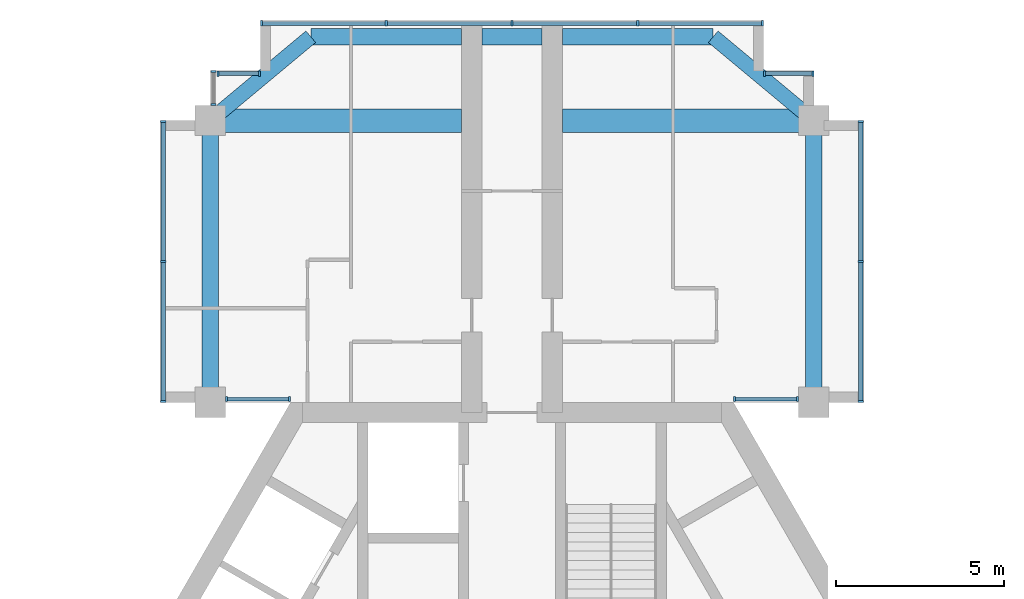
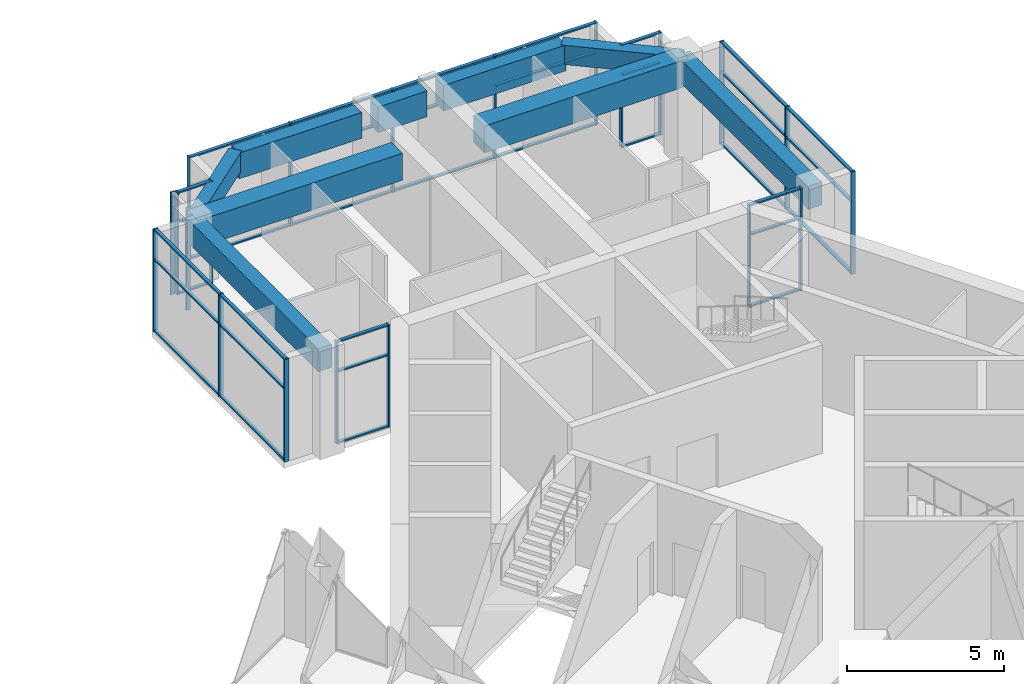
# One storey, part 6 of 14: 57 members, 9 beams, 8 elements without a shape of their own.
"""IFC4 building model written with IfcOpenShell, lengths in metres."""

from ifc_helpers import new_model, si_unit, direction, frame, origin, origin_2d, place, context, subcontext, project, spatial, rectangle, extrude, material, material_profile, profile_set, type_object, element, aggregate, save


model = new_model("IFC4")

# Units and contexts
model_context = context("Model", 3, precision=1e-05, world=origin(), true_north=direction((0.0, 1.0)))
body_context = subcontext(model_context, "Body", "Model", "MODEL_VIEW")
ifc_project = project(units=[si_unit("LENGTHUNIT", "METRE"), si_unit("AREAUNIT", "SQUARE_METRE"), si_unit("VOLUMEUNIT", "CUBIC_METRE"), si_unit("PLANEANGLEUNIT", "RADIAN"), si_unit("MASSUNIT", "GRAM", prefix="KILO")], contexts=[model_context])

# Site, building, storey
site_placement = place(None, origin())
site = spatial("IfcSite", under=ifc_project, at=site_placement, CompositionType="ELEMENT")
building_placement = place(site_placement, origin())
building = spatial("IfcBuilding", under=site, at=building_placement, Name="Impinga Residences", CompositionType="ELEMENT")
storey_placement = place(building_placement, frame((0.0, 0.0, 278.949951171875)))
storey = spatial("IfcBuildingStorey", under=building, at=storey_placement, Name="L70", CompositionType="ELEMENT", Elevation=278.949951171875)

# Beams
ifc_material_1 = material(Name="Concrete C60/75", Category="concrete")
ifc_material_profile_1 = material_profile(ifc_material_1, rectangle(XDim=0.449951171875, YDim=0.75, at=origin_2d()), Name="RC 450x750")
ifc_profile_set_1 = profile_set([ifc_material_profile_1], Name="Concrete C60/75")
beam_type_1 = type_object("IfcBeamType", Name="CB1 450x750 wing end cantilever beam", PredefinedType="BEAM", material=ifc_profile_set_1)
for number, where, z_axis, x_axis, name in (
    (1, (-9.0, 19.83154296875, 3.60498046875), (0.768221279597, 0.640184399664, 0.0), (-0.640184399664, 0.768221279597, 0.0), "Beam CB1 NB N2-NX level L71"),
    (2, (9.0, 19.83154296875, 3.60498046875), (-0.768221279597, 0.640184399664, 0.0), (-0.640184399664, -0.768221279597, 0.0), "Beam CB1 NE N2-NX level L71"),
):
    element("IfcBeam", number, at=place(storey_placement, frame(where, z_axis=z_axis, x_axis=x_axis)), inside=storey, type_object=beam_type_1, Name=name, PredefinedType="BEAM", context=body_context, shape_type="SweptSolid", body=[
        extrude(rectangle(XDim=0.449951171875, YDim=0.75, at=origin_2d()), origin(), (0.0, 0.0, 1.0), 3.905029296875),
    ])
ifc_material_profile_2 = material_profile(ifc_material_1, rectangle(XDim=0.699951171875, YDim=1.050048828125, at=origin_2d()), Name="RC 700x1050")
ifc_profile_set_2 = profile_set([ifc_material_profile_2], Name="Concrete C60/75")
beam_type_2 = type_object("IfcBeamType", Name="CG1 700x1050 cross girder on a wing bay line", PredefinedType="BEAM", material=ifc_profile_set_2)
for number, where, z_axis, x_axis, name in (
    (3, (-1.5, 19.83154296875, 3.455078125), (-1.0, 0.0, 0.0), (0.0, -1.0, 0.0), "Beam CG1 N2 NC/NA level L71"),
    (4, (1.5, 19.83154296875, 3.455078125), (1.0, 0.0, 0.0), (0.0, 1.0, 0.0), "Beam CG1 N2 NC/NF level L71"),
):
    element("IfcBeam", number, at=place(storey_placement, frame(where, z_axis=z_axis, x_axis=x_axis)), inside=storey, type_object=beam_type_2, Name=name, PredefinedType="BEAM", context=body_context, shape_type="SweptSolid", body=[
        extrude(rectangle(XDim=0.699951171875, YDim=1.050048828125, at=origin_2d()), origin(), (0.0, 0.0, 1.0), 7.5),
    ])

# Curtain wall, members
ifc_material_2 = material(Name="Aluminium stick curtain wall", Category="aluminium")
curtain_wall_type = type_object("IfcCurtainWallType", Name="CW3 penthouse curtain wall", PredefinedType="USERDEFINED", material=ifc_material_2)
curtain_wall_1_placement = place(storey_placement, origin())
curtain_wall_1 = element("IfcCurtainWall", 5, at=curtain_wall_1_placement, inside=storey, type_object=curtain_wall_type, Name="Curtain wall CW3 L70", ObjectType="STICK CURTAIN WALL", PredefinedType="USERDEFINED")
ifc_material_3 = material(Name="Aluminium mullion", Category="aluminium")
ifc_material_profile_3 = material_profile(ifc_material_3, rectangle(XDim=0.06005859375, YDim=0.159912109375, at=origin_2d()), Name="60x160 mullion")
ifc_profile_set_3 = profile_set([ifc_material_profile_3], Name="Aluminium mullion")
member_type_1 = type_object("IfcMemberType", Name="CW3-M mullion 60x160", PredefinedType="MULLION", material=ifc_profile_set_3)
member_1_placement = place(storey_placement, frame((-6.6298828125, 11.531494140625, 0.0), z_axis=(0.0, 0.0, 1.0), x_axis=(-1.0, 0.0, 0.0)))
member_1 = element("IfcMember", 6, at=member_1_placement, type_object=member_type_1, Name="CW3 mullion 1", PredefinedType="MULLION", context=body_context, shape_type="SweptSolid", body=[
    extrude(rectangle(XDim=0.06005859375, YDim=0.159912109375, at=origin_2d()), origin(), (0.0, 0.0, 1.0), 3.97998046875),
])
member_2_placement = place(storey_placement, frame((-8.51708984375, 11.531494140625, 0.0), z_axis=(0.0, 0.0, 1.0), x_axis=(-1.0, 0.0, 0.0)))
member_2 = element("IfcMember", 7, at=member_2_placement, type_object=member_type_1, Name="CW3 mullion 2", PredefinedType="MULLION", context=body_context, shape_type="SweptSolid", body=[
    extrude(rectangle(XDim=0.06005859375, YDim=0.159912109375, at=origin_2d()), origin(), (0.0, 0.0, 1.0), 3.97998046875),
])

curtain_wall_2_placement = place(storey_placement, origin())
curtain_wall_2 = element("IfcCurtainWall", 8, at=curtain_wall_2_placement, inside=storey, type_object=curtain_wall_type, Name="Curtain wall CW3 L70", ObjectType="STICK CURTAIN WALL", PredefinedType="USERDEFINED")
member_3_placement = place(storey_placement, frame((-10.39990234375, 11.46142578125, 0.0), z_axis=(0.0, 0.0, 1.0), x_axis=(0.0, 1.0, 0.0)))
member_3 = element("IfcMember", 9, at=member_3_placement, type_object=member_type_1, Name="CW3 mullion 1", PredefinedType="MULLION", context=body_context, shape_type="SweptSolid", body=[
    extrude(rectangle(XDim=0.06005859375, YDim=0.159912109375, at=origin_2d()), origin(), (0.0, 0.0, 1.0), 3.97998046875),
])
member_4_placement = place(storey_placement, frame((-10.39990234375, 15.631591796875, 0.0), z_axis=(0.0, 0.0, 1.0), x_axis=(0.0, 1.0, 0.0)))
member_4 = element("IfcMember", 10, at=member_4_placement, type_object=member_type_1, Name="CW3 mullion 2", PredefinedType="MULLION", context=body_context, shape_type="SweptSolid", body=[
    extrude(rectangle(XDim=0.06005859375, YDim=0.159912109375, at=origin_2d()), origin(), (0.0, 0.0, 1.0), 3.97998046875),
])
member_5_placement = place(storey_placement, frame((-10.39990234375, 19.801513671875, 0.0), z_axis=(0.0, 0.0, 1.0), x_axis=(0.0, 1.0, 0.0)))
member_5 = element("IfcMember", 11, at=member_5_placement, type_object=member_type_1, Name="CW3 mullion 3", PredefinedType="MULLION", context=body_context, shape_type="SweptSolid", body=[
    extrude(rectangle(XDim=0.06005859375, YDim=0.159912109375, at=origin_2d()), origin(), (0.0, 0.0, 1.0), 3.97998046875),
])

curtain_wall_3_placement = place(storey_placement, origin())
curtain_wall_3 = element("IfcCurtainWall", 12, at=curtain_wall_3_placement, inside=storey, type_object=curtain_wall_type, Name="Curtain wall CW3 L70", ObjectType="STICK CURTAIN WALL", PredefinedType="USERDEFINED")
member_6_placement = place(storey_placement, frame((-8.89990234375, 20.314453125, 0.0), z_axis=(0.0, 0.0, 1.0), x_axis=(0.0, 1.0, 0.0)))
member_6 = element("IfcMember", 13, at=member_6_placement, type_object=member_type_1, Name="CW3 mullion 1", PredefinedType="MULLION", context=body_context, shape_type="SweptSolid", body=[
    extrude(rectangle(XDim=0.06005859375, YDim=0.159912109375, at=origin_2d()), origin(), (0.0, 0.0, 1.0), 3.97998046875),
])
member_7_placement = place(storey_placement, frame((-8.89990234375, 21.301513671875, 0.0), z_axis=(0.0, 0.0, 1.0), x_axis=(0.0, 1.0, 0.0)))
member_7 = element("IfcMember", 14, at=member_7_placement, type_object=member_type_1, Name="CW3 mullion 2", PredefinedType="MULLION", context=body_context, shape_type="SweptSolid", body=[
    extrude(rectangle(XDim=0.06005859375, YDim=0.159912109375, at=origin_2d()), origin(), (0.0, 0.0, 1.0), 3.97998046875),
])
aggregate(curtain_wall_3, [member_6, member_7])

curtain_wall_4_placement = place(storey_placement, origin())
curtain_wall_4 = element("IfcCurtainWall", 15, at=curtain_wall_4_placement, inside=storey, type_object=curtain_wall_type, Name="Curtain wall CW3 L70", ObjectType="STICK CURTAIN WALL", PredefinedType="USERDEFINED")
member_8_placement = place(storey_placement, frame((-8.77001953125, 21.2314453125, 0.0), z_axis=(0.0, 0.0, 1.0), x_axis=(1.0, 0.0, 0.0)))
member_8 = element("IfcMember", 16, at=member_8_placement, type_object=member_type_1, Name="CW3 mullion 1", PredefinedType="MULLION", context=body_context, shape_type="SweptSolid", body=[
    extrude(rectangle(XDim=0.06005859375, YDim=0.159912109375, at=origin_2d()), origin(), (0.0, 0.0, 1.0), 3.97998046875),
])
member_9_placement = place(storey_placement, frame((-7.530029296875, 21.2314453125, 0.0), z_axis=(0.0, 0.0, 1.0), x_axis=(1.0, 0.0, 0.0)))
member_9 = element("IfcMember", 17, at=member_9_placement, type_object=member_type_1, Name="CW3 mullion 2", PredefinedType="MULLION", context=body_context, shape_type="SweptSolid", body=[
    extrude(rectangle(XDim=0.06005859375, YDim=0.159912109375, at=origin_2d()), origin(), (0.0, 0.0, 1.0), 3.97998046875),
])

curtain_wall_5_placement = place(storey_placement, origin())
curtain_wall_5 = element("IfcCurtainWall", 18, at=curtain_wall_5_placement, inside=storey, type_object=curtain_wall_type, Name="Curtain wall CW3 L70", ObjectType="STICK CURTAIN WALL", PredefinedType="USERDEFINED")
member_10_placement = place(storey_placement, frame((-7.469970703125, 22.7314453125, 0.0), z_axis=(0.0, 0.0, 1.0), x_axis=(1.0, 0.0, 0.0)))
member_10 = element("IfcMember", 19, at=member_10_placement, type_object=member_type_1, Name="CW3 mullion 1", PredefinedType="MULLION", context=body_context, shape_type="SweptSolid", body=[
    extrude(rectangle(XDim=0.06005859375, YDim=0.159912109375, at=origin_2d()), origin(), (0.0, 0.0, 1.0), 3.97998046875),
])
member_11_placement = place(storey_placement, frame((-3.75, 22.7314453125, 0.0), z_axis=(0.0, 0.0, 1.0), x_axis=(1.0, 0.0, 0.0)))
member_11 = element("IfcMember", 20, at=member_11_placement, type_object=member_type_1, Name="CW3 mullion 2", PredefinedType="MULLION", context=body_context, shape_type="SweptSolid", body=[
    extrude(rectangle(XDim=0.06005859375, YDim=0.159912109375, at=origin_2d()), origin(), (0.0, 0.0, 1.0), 3.97998046875),
])
member_12_placement = place(storey_placement, frame((0.0, 22.7314453125, 0.0), z_axis=(0.0, 0.0, 1.0), x_axis=(1.0, 0.0, 0.0)))
member_12 = element("IfcMember", 21, at=member_12_placement, type_object=member_type_1, Name="CW3 mullion 3", PredefinedType="MULLION", context=body_context, shape_type="SweptSolid", body=[
    extrude(rectangle(XDim=0.06005859375, YDim=0.159912109375, at=origin_2d()), origin(), (0.0, 0.0, 1.0), 3.97998046875),
])
member_13_placement = place(storey_placement, frame((3.75, 22.7314453125, 0.0), z_axis=(0.0, 0.0, 1.0), x_axis=(1.0, 0.0, 0.0)))
member_13 = element("IfcMember", 22, at=member_13_placement, type_object=member_type_1, Name="CW3 mullion 4", PredefinedType="MULLION", context=body_context, shape_type="SweptSolid", body=[
    extrude(rectangle(XDim=0.06005859375, YDim=0.159912109375, at=origin_2d()), origin(), (0.0, 0.0, 1.0), 3.97998046875),
])
member_14_placement = place(storey_placement, frame((7.469970703125, 22.7314453125, 0.0), z_axis=(0.0, 0.0, 1.0), x_axis=(1.0, 0.0, 0.0)))
member_14 = element("IfcMember", 23, at=member_14_placement, type_object=member_type_1, Name="CW3 mullion 5", PredefinedType="MULLION", context=body_context, shape_type="SweptSolid", body=[
    extrude(rectangle(XDim=0.06005859375, YDim=0.159912109375, at=origin_2d()), origin(), (0.0, 0.0, 1.0), 3.97998046875),
])

curtain_wall_6_placement = place(storey_placement, origin())
curtain_wall_6 = element("IfcCurtainWall", 24, at=curtain_wall_6_placement, inside=storey, type_object=curtain_wall_type, Name="Curtain wall CW3 L70", ObjectType="STICK CURTAIN WALL", PredefinedType="USERDEFINED")
member_15_placement = place(storey_placement, frame((7.530029296875, 21.2314453125, 0.0), z_axis=(0.0, 0.0, 1.0), x_axis=(1.0, 0.0, 0.0)))
member_15 = element("IfcMember", 25, at=member_15_placement, type_object=member_type_1, Name="CW3 mullion 1", PredefinedType="MULLION", context=body_context, shape_type="SweptSolid", body=[
    extrude(rectangle(XDim=0.06005859375, YDim=0.159912109375, at=origin_2d()), origin(), (0.0, 0.0, 1.0), 3.97998046875),
])
member_16_placement = place(storey_placement, frame((8.969970703125, 21.2314453125, 0.0), z_axis=(0.0, 0.0, 1.0), x_axis=(1.0, 0.0, 0.0)))
member_16 = element("IfcMember", 26, at=member_16_placement, type_object=member_type_1, Name="CW3 mullion 2", PredefinedType="MULLION", context=body_context, shape_type="SweptSolid", body=[
    extrude(rectangle(XDim=0.06005859375, YDim=0.159912109375, at=origin_2d()), origin(), (0.0, 0.0, 1.0), 3.97998046875),
])

curtain_wall_7_placement = place(storey_placement, origin())
curtain_wall_7 = element("IfcCurtainWall", 27, at=curtain_wall_7_placement, inside=storey, type_object=curtain_wall_type, Name="Curtain wall CW3 L70", ObjectType="STICK CURTAIN WALL", PredefinedType="USERDEFINED")
member_17_placement = place(storey_placement, frame((10.39990234375, 19.801513671875, 0.0), z_axis=(0.0, 0.0, 1.0), x_axis=(0.0, -1.0, 0.0)))
member_17 = element("IfcMember", 28, at=member_17_placement, type_object=member_type_1, Name="CW3 mullion 1", PredefinedType="MULLION", context=body_context, shape_type="SweptSolid", body=[
    extrude(rectangle(XDim=0.06005859375, YDim=0.159912109375, at=origin_2d()), origin(), (0.0, 0.0, 1.0), 3.97998046875),
])
member_18_placement = place(storey_placement, frame((10.39990234375, 15.631591796875, 0.0), z_axis=(0.0, 0.0, 1.0), x_axis=(0.0, -1.0, 0.0)))
member_18 = element("IfcMember", 29, at=member_18_placement, type_object=member_type_1, Name="CW3 mullion 2", PredefinedType="MULLION", context=body_context, shape_type="SweptSolid", body=[
    extrude(rectangle(XDim=0.06005859375, YDim=0.159912109375, at=origin_2d()), origin(), (0.0, 0.0, 1.0), 3.97998046875),
])
member_19_placement = place(storey_placement, frame((10.39990234375, 11.46142578125, 0.0), z_axis=(0.0, 0.0, 1.0), x_axis=(0.0, -1.0, 0.0)))
member_19 = element("IfcMember", 30, at=member_19_placement, type_object=member_type_1, Name="CW3 mullion 3", PredefinedType="MULLION", context=body_context, shape_type="SweptSolid", body=[
    extrude(rectangle(XDim=0.06005859375, YDim=0.159912109375, at=origin_2d()), origin(), (0.0, 0.0, 1.0), 3.97998046875),
])

curtain_wall_8_placement = place(storey_placement, origin())
curtain_wall_8 = element("IfcCurtainWall", 31, at=curtain_wall_8_placement, inside=storey, type_object=curtain_wall_type, Name="Curtain wall CW3 L70", ObjectType="STICK CURTAIN WALL", PredefinedType="USERDEFINED")
member_20_placement = place(storey_placement, frame((8.51708984375, 11.531494140625, 0.0), z_axis=(0.0, 0.0, 1.0), x_axis=(-1.0, 0.0, 0.0)))
member_20 = element("IfcMember", 32, at=member_20_placement, type_object=member_type_1, Name="CW3 mullion 1", PredefinedType="MULLION", context=body_context, shape_type="SweptSolid", body=[
    extrude(rectangle(XDim=0.06005859375, YDim=0.159912109375, at=origin_2d()), origin(), (0.0, 0.0, 1.0), 3.97998046875),
])
member_21_placement = place(storey_placement, frame((6.6298828125, 11.531494140625, 0.0), z_axis=(0.0, 0.0, 1.0), x_axis=(-1.0, 0.0, 0.0)))
member_21 = element("IfcMember", 33, at=member_21_placement, type_object=member_type_1, Name="CW3 mullion 2", PredefinedType="MULLION", context=body_context, shape_type="SweptSolid", body=[
    extrude(rectangle(XDim=0.06005859375, YDim=0.159912109375, at=origin_2d()), origin(), (0.0, 0.0, 1.0), 3.97998046875),
])

# Member
ifc_material_4 = material(Name="Aluminium transom", Category="aluminium")
ifc_material_profile_4 = material_profile(ifc_material_4, rectangle(XDim=0.06005859375, YDim=0.1201171875, at=origin_2d()), Name="60x120 transom")
ifc_profile_set_4 = profile_set([ifc_material_profile_4], Name="Aluminium transom")
member_type_2 = type_object("IfcMemberType", Name="CW3-T transom 60x120", PredefinedType="USERDEFINED", material=ifc_profile_set_4)
member_22_placement = place(storey_placement, frame((-6.659912109375, 11.531494140625, 0.030029296875), z_axis=(-1.0, 0.0, 0.0), x_axis=(0.0, 0.0, 1.0)))
member_22 = element("IfcMember", 34, at=member_22_placement, type_object=member_type_2, Name="CW3 transom 1.1", ObjectType="TRANSOM", PredefinedType="USERDEFINED", context=body_context, shape_type="SweptSolid", body=[
    extrude(rectangle(XDim=0.06005859375, YDim=0.1201171875, at=origin_2d()), origin(), (0.0, 0.0, 1.0), 1.8271484375),
])

member_23_placement = place(storey_placement, frame((-6.659912109375, 11.531494140625, 2.800048828125), z_axis=(-1.0, 0.0, 0.0), x_axis=(0.0, 0.0, 1.0)))
member_23 = element("IfcMember", 35, at=member_23_placement, type_object=member_type_2, Name="CW3 transom 1.2", ObjectType="TRANSOM", PredefinedType="USERDEFINED", context=body_context, shape_type="SweptSolid", body=[
    extrude(rectangle(XDim=0.06005859375, YDim=0.1201171875, at=origin_2d()), origin(), (0.0, 0.0, 1.0), 1.8271484375),
])

member_24_placement = place(storey_placement, frame((-6.659912109375, 11.531494140625, 3.949951171875), z_axis=(-1.0, 0.0, 0.0), x_axis=(0.0, 0.0, 1.0)))
member_24 = element("IfcMember", 36, at=member_24_placement, type_object=member_type_2, Name="CW3 transom 1.3", ObjectType="TRANSOM", PredefinedType="USERDEFINED", context=body_context, shape_type="SweptSolid", body=[
    extrude(rectangle(XDim=0.06005859375, YDim=0.1201171875, at=origin_2d()), origin(), (0.0, 0.0, 1.0), 1.8271484375),
])

aggregate(curtain_wall_1, [member_1, member_2, member_22, member_23, member_24])

member_25_placement = place(storey_placement, frame((-10.39990234375, 11.491455078125, 0.030029296875), z_axis=(0.0, 1.0, 0.0), x_axis=(0.0, 0.0, 1.0)))
member_25 = element("IfcMember", 37, at=member_25_placement, type_object=member_type_2, Name="CW3 transom 1.1", ObjectType="TRANSOM", PredefinedType="USERDEFINED", context=body_context, shape_type="SweptSolid", body=[
    extrude(rectangle(XDim=0.06005859375, YDim=0.1201171875, at=origin_2d()), origin(), (0.0, 0.0, 1.0), 4.110107421875),
])

member_26_placement = place(storey_placement, frame((-10.39990234375, 11.491455078125, 2.800048828125), z_axis=(0.0, 1.0, 0.0), x_axis=(0.0, 0.0, 1.0)))
member_26 = element("IfcMember", 38, at=member_26_placement, type_object=member_type_2, Name="CW3 transom 1.2", ObjectType="TRANSOM", PredefinedType="USERDEFINED", context=body_context, shape_type="SweptSolid", body=[
    extrude(rectangle(XDim=0.06005859375, YDim=0.1201171875, at=origin_2d()), origin(), (0.0, 0.0, 1.0), 4.110107421875),
])

member_27_placement = place(storey_placement, frame((-10.39990234375, 11.491455078125, 3.949951171875), z_axis=(0.0, 1.0, 0.0), x_axis=(0.0, 0.0, 1.0)))
member_27 = element("IfcMember", 39, at=member_27_placement, type_object=member_type_2, Name="CW3 transom 1.3", ObjectType="TRANSOM", PredefinedType="USERDEFINED", context=body_context, shape_type="SweptSolid", body=[
    extrude(rectangle(XDim=0.06005859375, YDim=0.1201171875, at=origin_2d()), origin(), (0.0, 0.0, 1.0), 4.110107421875),
])

member_28_placement = place(storey_placement, frame((-10.39990234375, 15.66162109375, 0.030029296875), z_axis=(0.0, 1.0, 0.0), x_axis=(0.0, 0.0, 1.0)))
member_28 = element("IfcMember", 40, at=member_28_placement, type_object=member_type_2, Name="CW3 transom 2.1", ObjectType="TRANSOM", PredefinedType="USERDEFINED", context=body_context, shape_type="SweptSolid", body=[
    extrude(rectangle(XDim=0.06005859375, YDim=0.1201171875, at=origin_2d()), origin(), (0.0, 0.0, 1.0), 4.10986328125),
])

member_29_placement = place(storey_placement, frame((-10.39990234375, 15.66162109375, 2.800048828125), z_axis=(0.0, 1.0, 0.0), x_axis=(0.0, 0.0, 1.0)))
member_29 = element("IfcMember", 41, at=member_29_placement, type_object=member_type_2, Name="CW3 transom 2.2", ObjectType="TRANSOM", PredefinedType="USERDEFINED", context=body_context, shape_type="SweptSolid", body=[
    extrude(rectangle(XDim=0.06005859375, YDim=0.1201171875, at=origin_2d()), origin(), (0.0, 0.0, 1.0), 4.10986328125),
])

member_30_placement = place(storey_placement, frame((-10.39990234375, 15.66162109375, 3.949951171875), z_axis=(0.0, 1.0, 0.0), x_axis=(0.0, 0.0, 1.0)))
member_30 = element("IfcMember", 42, at=member_30_placement, type_object=member_type_2, Name="CW3 transom 2.3", ObjectType="TRANSOM", PredefinedType="USERDEFINED", context=body_context, shape_type="SweptSolid", body=[
    extrude(rectangle(XDim=0.06005859375, YDim=0.1201171875, at=origin_2d()), origin(), (0.0, 0.0, 1.0), 4.10986328125),
])

aggregate(curtain_wall_2, [member_3, member_4, member_5, member_25, member_26, member_27, member_28, member_29, member_30])

member_31_placement = place(storey_placement, frame((-8.739990234375, 21.2314453125, 0.030029296875), z_axis=(1.0, 0.0, 0.0), x_axis=(0.0, 0.0, 1.0)))
member_31 = element("IfcMember", 43, at=member_31_placement, type_object=member_type_2, Name="CW3 transom 1.1", ObjectType="TRANSOM", PredefinedType="USERDEFINED", context=body_context, shape_type="SweptSolid", body=[
    extrude(rectangle(XDim=0.06005859375, YDim=0.1201171875, at=origin_2d()), origin(), (0.0, 0.0, 1.0), 1.179931640625),
])

member_32_placement = place(storey_placement, frame((-8.739990234375, 21.2314453125, 2.800048828125), z_axis=(1.0, 0.0, 0.0), x_axis=(0.0, 0.0, 1.0)))
member_32 = element("IfcMember", 44, at=member_32_placement, type_object=member_type_2, Name="CW3 transom 1.2", ObjectType="TRANSOM", PredefinedType="USERDEFINED", context=body_context, shape_type="SweptSolid", body=[
    extrude(rectangle(XDim=0.06005859375, YDim=0.1201171875, at=origin_2d()), origin(), (0.0, 0.0, 1.0), 1.179931640625),
])

member_33_placement = place(storey_placement, frame((-8.739990234375, 21.2314453125, 3.949951171875), z_axis=(1.0, 0.0, 0.0), x_axis=(0.0, 0.0, 1.0)))
member_33 = element("IfcMember", 45, at=member_33_placement, type_object=member_type_2, Name="CW3 transom 1.3", ObjectType="TRANSOM", PredefinedType="USERDEFINED", context=body_context, shape_type="SweptSolid", body=[
    extrude(rectangle(XDim=0.06005859375, YDim=0.1201171875, at=origin_2d()), origin(), (0.0, 0.0, 1.0), 1.179931640625),
])

aggregate(curtain_wall_4, [member_8, member_9, member_31, member_32, member_33])

member_34_placement = place(storey_placement, frame((-7.43994140625, 22.7314453125, 0.030029296875), z_axis=(1.0, 0.0, 0.0), x_axis=(0.0, 0.0, 1.0)))
member_34 = element("IfcMember", 46, at=member_34_placement, type_object=member_type_2, Name="CW3 transom 1.1", ObjectType="TRANSOM", PredefinedType="USERDEFINED", context=body_context, shape_type="SweptSolid", body=[
    extrude(rectangle(XDim=0.06005859375, YDim=0.1201171875, at=origin_2d()), origin(), (0.0, 0.0, 1.0), 3.659912109375),
])

member_35_placement = place(storey_placement, frame((-7.43994140625, 22.7314453125, 2.800048828125), z_axis=(1.0, 0.0, 0.0), x_axis=(0.0, 0.0, 1.0)))
member_35 = element("IfcMember", 47, at=member_35_placement, type_object=member_type_2, Name="CW3 transom 1.2", ObjectType="TRANSOM", PredefinedType="USERDEFINED", context=body_context, shape_type="SweptSolid", body=[
    extrude(rectangle(XDim=0.06005859375, YDim=0.1201171875, at=origin_2d()), origin(), (0.0, 0.0, 1.0), 3.659912109375),
])

member_36_placement = place(storey_placement, frame((-7.43994140625, 22.7314453125, 3.949951171875), z_axis=(1.0, 0.0, 0.0), x_axis=(0.0, 0.0, 1.0)))
member_36 = element("IfcMember", 48, at=member_36_placement, type_object=member_type_2, Name="CW3 transom 1.3", ObjectType="TRANSOM", PredefinedType="USERDEFINED", context=body_context, shape_type="SweptSolid", body=[
    extrude(rectangle(XDim=0.06005859375, YDim=0.1201171875, at=origin_2d()), origin(), (0.0, 0.0, 1.0), 3.659912109375),
])

member_37_placement = place(storey_placement, frame((-3.719970703125, 22.7314453125, 0.030029296875), z_axis=(1.0, 0.0, 0.0), x_axis=(0.0, 0.0, 1.0)))
member_37 = element("IfcMember", 49, at=member_37_placement, type_object=member_type_2, Name="CW3 transom 2.1", ObjectType="TRANSOM", PredefinedType="USERDEFINED", context=body_context, shape_type="SweptSolid", body=[
    extrude(rectangle(XDim=0.06005859375, YDim=0.1201171875, at=origin_2d()), origin(), (0.0, 0.0, 1.0), 3.68994140625),
])

member_38_placement = place(storey_placement, frame((-3.719970703125, 22.7314453125, 2.800048828125), z_axis=(1.0, 0.0, 0.0), x_axis=(0.0, 0.0, 1.0)))
member_38 = element("IfcMember", 50, at=member_38_placement, type_object=member_type_2, Name="CW3 transom 2.2", ObjectType="TRANSOM", PredefinedType="USERDEFINED", context=body_context, shape_type="SweptSolid", body=[
    extrude(rectangle(XDim=0.06005859375, YDim=0.1201171875, at=origin_2d()), origin(), (0.0, 0.0, 1.0), 3.68994140625),
])

member_39_placement = place(storey_placement, frame((-3.719970703125, 22.7314453125, 3.949951171875), z_axis=(1.0, 0.0, 0.0), x_axis=(0.0, 0.0, 1.0)))
member_39 = element("IfcMember", 51, at=member_39_placement, type_object=member_type_2, Name="CW3 transom 2.3", ObjectType="TRANSOM", PredefinedType="USERDEFINED", context=body_context, shape_type="SweptSolid", body=[
    extrude(rectangle(XDim=0.06005859375, YDim=0.1201171875, at=origin_2d()), origin(), (0.0, 0.0, 1.0), 3.68994140625),
])

member_40_placement = place(storey_placement, frame((0.030029296875, 22.7314453125, 0.030029296875), z_axis=(1.0, 0.0, 0.0), x_axis=(0.0, 0.0, 1.0)))
member_40 = element("IfcMember", 52, at=member_40_placement, type_object=member_type_2, Name="CW3 transom 3.1", ObjectType="TRANSOM", PredefinedType="USERDEFINED", context=body_context, shape_type="SweptSolid", body=[
    extrude(rectangle(XDim=0.06005859375, YDim=0.1201171875, at=origin_2d()), origin(), (0.0, 0.0, 1.0), 3.68994140625),
])

member_41_placement = place(storey_placement, frame((0.030029296875, 22.7314453125, 2.800048828125), z_axis=(1.0, 0.0, 0.0), x_axis=(0.0, 0.0, 1.0)))
member_41 = element("IfcMember", 53, at=member_41_placement, type_object=member_type_2, Name="CW3 transom 3.2", ObjectType="TRANSOM", PredefinedType="USERDEFINED", context=body_context, shape_type="SweptSolid", body=[
    extrude(rectangle(XDim=0.06005859375, YDim=0.1201171875, at=origin_2d()), origin(), (0.0, 0.0, 1.0), 3.68994140625),
])

member_42_placement = place(storey_placement, frame((0.030029296875, 22.7314453125, 3.949951171875), z_axis=(1.0, 0.0, 0.0), x_axis=(0.0, 0.0, 1.0)))
member_42 = element("IfcMember", 54, at=member_42_placement, type_object=member_type_2, Name="CW3 transom 3.3", ObjectType="TRANSOM", PredefinedType="USERDEFINED", context=body_context, shape_type="SweptSolid", body=[
    extrude(rectangle(XDim=0.06005859375, YDim=0.1201171875, at=origin_2d()), origin(), (0.0, 0.0, 1.0), 3.68994140625),
])

member_43_placement = place(storey_placement, frame((3.780029296875, 22.7314453125, 0.030029296875), z_axis=(1.0, 0.0, 0.0), x_axis=(0.0, 0.0, 1.0)))
member_43 = element("IfcMember", 55, at=member_43_placement, type_object=member_type_2, Name="CW3 transom 4.1", ObjectType="TRANSOM", PredefinedType="USERDEFINED", context=body_context, shape_type="SweptSolid", body=[
    extrude(rectangle(XDim=0.06005859375, YDim=0.1201171875, at=origin_2d()), origin(), (0.0, 0.0, 1.0), 3.659912109375),
])

member_44_placement = place(storey_placement, frame((3.780029296875, 22.7314453125, 2.800048828125), z_axis=(1.0, 0.0, 0.0), x_axis=(0.0, 0.0, 1.0)))
member_44 = element("IfcMember", 56, at=member_44_placement, type_object=member_type_2, Name="CW3 transom 4.2", ObjectType="TRANSOM", PredefinedType="USERDEFINED", context=body_context, shape_type="SweptSolid", body=[
    extrude(rectangle(XDim=0.06005859375, YDim=0.1201171875, at=origin_2d()), origin(), (0.0, 0.0, 1.0), 3.659912109375),
])

member_45_placement = place(storey_placement, frame((3.780029296875, 22.7314453125, 3.949951171875), z_axis=(1.0, 0.0, 0.0), x_axis=(0.0, 0.0, 1.0)))
member_45 = element("IfcMember", 57, at=member_45_placement, type_object=member_type_2, Name="CW3 transom 4.3", ObjectType="TRANSOM", PredefinedType="USERDEFINED", context=body_context, shape_type="SweptSolid", body=[
    extrude(rectangle(XDim=0.06005859375, YDim=0.1201171875, at=origin_2d()), origin(), (0.0, 0.0, 1.0), 3.659912109375),
])

aggregate(curtain_wall_5, [member_10, member_11, member_12, member_13, member_14, member_34, member_35, member_36, member_37, member_38, member_39, member_40, member_41, member_42, member_43, member_44, member_45])

member_46_placement = place(storey_placement, frame((7.56005859375, 21.2314453125, 0.030029296875), z_axis=(1.0, 0.0, 0.0), x_axis=(0.0, 0.0, 1.0)))
member_46 = element("IfcMember", 58, at=member_46_placement, type_object=member_type_2, Name="CW3 transom 1.1", ObjectType="TRANSOM", PredefinedType="USERDEFINED", context=body_context, shape_type="SweptSolid", body=[
    extrude(rectangle(XDim=0.06005859375, YDim=0.1201171875, at=origin_2d()), origin(), (0.0, 0.0, 1.0), 1.3798828125),
])

member_47_placement = place(storey_placement, frame((7.56005859375, 21.2314453125, 2.800048828125), z_axis=(1.0, 0.0, 0.0), x_axis=(0.0, 0.0, 1.0)))
member_47 = element("IfcMember", 59, at=member_47_placement, type_object=member_type_2, Name="CW3 transom 1.2", ObjectType="TRANSOM", PredefinedType="USERDEFINED", context=body_context, shape_type="SweptSolid", body=[
    extrude(rectangle(XDim=0.06005859375, YDim=0.1201171875, at=origin_2d()), origin(), (0.0, 0.0, 1.0), 1.3798828125),
])

member_48_placement = place(storey_placement, frame((7.56005859375, 21.2314453125, 3.949951171875), z_axis=(1.0, 0.0, 0.0), x_axis=(0.0, 0.0, 1.0)))
member_48 = element("IfcMember", 60, at=member_48_placement, type_object=member_type_2, Name="CW3 transom 1.3", ObjectType="TRANSOM", PredefinedType="USERDEFINED", context=body_context, shape_type="SweptSolid", body=[
    extrude(rectangle(XDim=0.06005859375, YDim=0.1201171875, at=origin_2d()), origin(), (0.0, 0.0, 1.0), 1.3798828125),
])

aggregate(curtain_wall_6, [member_15, member_16, member_46, member_47, member_48])

member_49_placement = place(storey_placement, frame((10.39990234375, 19.771484375, 0.030029296875), z_axis=(0.0, -1.0, 0.0), x_axis=(0.0, 0.0, 1.0)))
member_49 = element("IfcMember", 61, at=member_49_placement, type_object=member_type_2, Name="CW3 transom 1.1", ObjectType="TRANSOM", PredefinedType="USERDEFINED", context=body_context, shape_type="SweptSolid", body=[
    extrude(rectangle(XDim=0.06005859375, YDim=0.1201171875, at=origin_2d()), origin(), (0.0, 0.0, 1.0), 4.10986328125),
])

member_50_placement = place(storey_placement, frame((10.39990234375, 19.771484375, 2.800048828125), z_axis=(0.0, -1.0, 0.0), x_axis=(0.0, 0.0, 1.0)))
member_50 = element("IfcMember", 62, at=member_50_placement, type_object=member_type_2, Name="CW3 transom 1.2", ObjectType="TRANSOM", PredefinedType="USERDEFINED", context=body_context, shape_type="SweptSolid", body=[
    extrude(rectangle(XDim=0.06005859375, YDim=0.1201171875, at=origin_2d()), origin(), (0.0, 0.0, 1.0), 4.10986328125),
])

member_51_placement = place(storey_placement, frame((10.39990234375, 19.771484375, 3.949951171875), z_axis=(0.0, -1.0, 0.0), x_axis=(0.0, 0.0, 1.0)))
member_51 = element("IfcMember", 63, at=member_51_placement, type_object=member_type_2, Name="CW3 transom 1.3", ObjectType="TRANSOM", PredefinedType="USERDEFINED", context=body_context, shape_type="SweptSolid", body=[
    extrude(rectangle(XDim=0.06005859375, YDim=0.1201171875, at=origin_2d()), origin(), (0.0, 0.0, 1.0), 4.10986328125),
])

member_52_placement = place(storey_placement, frame((10.39990234375, 15.6015625, 0.030029296875), z_axis=(0.0, -1.0, 0.0), x_axis=(0.0, 0.0, 1.0)))
member_52 = element("IfcMember", 64, at=member_52_placement, type_object=member_type_2, Name="CW3 transom 2.1", ObjectType="TRANSOM", PredefinedType="USERDEFINED", context=body_context, shape_type="SweptSolid", body=[
    extrude(rectangle(XDim=0.06005859375, YDim=0.1201171875, at=origin_2d()), origin(), (0.0, 0.0, 1.0), 4.110107421875),
])

member_53_placement = place(storey_placement, frame((10.39990234375, 15.6015625, 2.800048828125), z_axis=(0.0, -1.0, 0.0), x_axis=(0.0, 0.0, 1.0)))
member_53 = element("IfcMember", 65, at=member_53_placement, type_object=member_type_2, Name="CW3 transom 2.2", ObjectType="TRANSOM", PredefinedType="USERDEFINED", context=body_context, shape_type="SweptSolid", body=[
    extrude(rectangle(XDim=0.06005859375, YDim=0.1201171875, at=origin_2d()), origin(), (0.0, 0.0, 1.0), 4.110107421875),
])

member_54_placement = place(storey_placement, frame((10.39990234375, 15.6015625, 3.949951171875), z_axis=(0.0, -1.0, 0.0), x_axis=(0.0, 0.0, 1.0)))
member_54 = element("IfcMember", 66, at=member_54_placement, type_object=member_type_2, Name="CW3 transom 2.3", ObjectType="TRANSOM", PredefinedType="USERDEFINED", context=body_context, shape_type="SweptSolid", body=[
    extrude(rectangle(XDim=0.06005859375, YDim=0.1201171875, at=origin_2d()), origin(), (0.0, 0.0, 1.0), 4.110107421875),
])

aggregate(curtain_wall_7, [member_17, member_18, member_19, member_49, member_50, member_51, member_52, member_53, member_54])

member_55_placement = place(storey_placement, frame((8.487060546875, 11.531494140625, 0.030029296875), z_axis=(-1.0, 0.0, 0.0), x_axis=(0.0, 0.0, 1.0)))
member_55 = element("IfcMember", 67, at=member_55_placement, type_object=member_type_2, Name="CW3 transom 1.1", ObjectType="TRANSOM", PredefinedType="USERDEFINED", context=body_context, shape_type="SweptSolid", body=[
    extrude(rectangle(XDim=0.06005859375, YDim=0.1201171875, at=origin_2d()), origin(), (0.0, 0.0, 1.0), 1.8271484375),
])

member_56_placement = place(storey_placement, frame((8.487060546875, 11.531494140625, 2.800048828125), z_axis=(-1.0, 0.0, 0.0), x_axis=(0.0, 0.0, 1.0)))
member_56 = element("IfcMember", 68, at=member_56_placement, type_object=member_type_2, Name="CW3 transom 1.2", ObjectType="TRANSOM", PredefinedType="USERDEFINED", context=body_context, shape_type="SweptSolid", body=[
    extrude(rectangle(XDim=0.06005859375, YDim=0.1201171875, at=origin_2d()), origin(), (0.0, 0.0, 1.0), 1.8271484375),
])

member_57_placement = place(storey_placement, frame((8.487060546875, 11.531494140625, 3.949951171875), z_axis=(-1.0, 0.0, 0.0), x_axis=(0.0, 0.0, 1.0)))
member_57 = element("IfcMember", 69, at=member_57_placement, type_object=member_type_2, Name="CW3 transom 1.3", ObjectType="TRANSOM", PredefinedType="USERDEFINED", context=body_context, shape_type="SweptSolid", body=[
    extrude(rectangle(XDim=0.06005859375, YDim=0.1201171875, at=origin_2d()), origin(), (0.0, 0.0, 1.0), 1.8271484375),
])

aggregate(curtain_wall_8, [member_20, member_21, member_55, member_56, member_57])

# Beams
ifc_material_profile_5 = material_profile(ifc_material_1, rectangle(XDim=0.5, YDim=1.0, at=origin_2d()), Name="RC 500x1000")
ifc_profile_set_5 = profile_set([ifc_material_profile_5], Name="Concrete C60/75")
beam_type_3 = type_object("IfcBeamType", Name="EB1 500x1000 wing end beam", PredefinedType="BEAM", material=ifc_profile_set_5)
beam_1_placement = place(storey_placement, frame((-6.0, 22.33154296875, 3.47998046875), z_axis=(1.0, 0.0, 0.0), x_axis=(0.0, 1.0, 0.0)))
element("IfcBeam", 70, at=beam_1_placement, inside=storey, type_object=beam_type_3, Name="Beam EB1 NX1 level L71", PredefinedType="BEAM", context=body_context, shape_type="SweptSolid", body=[
    extrude(rectangle(XDim=0.5, YDim=1.0, at=origin_2d()), origin(), (0.0, 0.0, 1.0), 4.5),
])
beam_2_placement = place(storey_placement, frame((-0.89990234375, 22.33154296875, 3.47998046875), z_axis=(1.0, 0.0, 0.0), x_axis=(0.0, 1.0, 0.0)))
element("IfcBeam", 71, at=beam_2_placement, inside=storey, type_object=beam_type_3, Name="Beam EB1 NX1 level L71", PredefinedType="BEAM", context=body_context, shape_type="SweptSolid", body=[
    extrude(rectangle(XDim=0.5, YDim=1.0, at=origin_2d()), origin(), (0.0, 0.0, 1.0), 1.7998046875),
])
beam_3_placement = place(storey_placement, frame((1.5, 22.33154296875, 3.47998046875), z_axis=(1.0, 0.0, 0.0), x_axis=(0.0, 1.0, 0.0)))
element("IfcBeam", 72, at=beam_3_placement, inside=storey, type_object=beam_type_3, Name="Beam EB1 NX1 level L71", PredefinedType="BEAM", context=body_context, shape_type="SweptSolid", body=[
    extrude(rectangle(XDim=0.5, YDim=1.0, at=origin_2d()), origin(), (0.0, 0.0, 1.0), 4.5),
])
ifc_material_profile_6 = material_profile(ifc_material_1, rectangle(XDim=0.5, YDim=0.89990234375, at=origin_2d()), Name="RC 500x900")
ifc_profile_set_6 = profile_set([ifc_material_profile_6], Name="Concrete C60/75")
beam_type_4 = type_object("IfcBeamType", Name="SB1 500x900 perimeter spandrel beam", PredefinedType="SPANDREL", material=ifc_profile_set_6)
for number, where, z_axis, x_axis, name in (
    (73, (-9.0, 11.431640625, 3.530029296875), (0.0, 1.0, 0.0), (-1.0, 0.0, 0.0), "Beam SB1 NA N1-N2 level L71"),
    (74, (9.0, 11.431640625, 3.530029296875), (0.0, 1.0, 0.0), (-1.0, 0.0, 0.0), "Beam SB1 NF N1-N2 level L71"),
):
    element("IfcBeam", number, at=place(storey_placement, frame(where, z_axis=z_axis, x_axis=x_axis)), inside=storey, type_object=beam_type_4, Name=name, PredefinedType="SPANDREL", context=body_context, shape_type="SweptSolid", body=[
        extrude(rectangle(XDim=0.5, YDim=0.89990234375, at=origin_2d()), origin(), (0.0, 0.0, 1.0), 8.39990234375),
    ])

save(model, "model.ifc")
